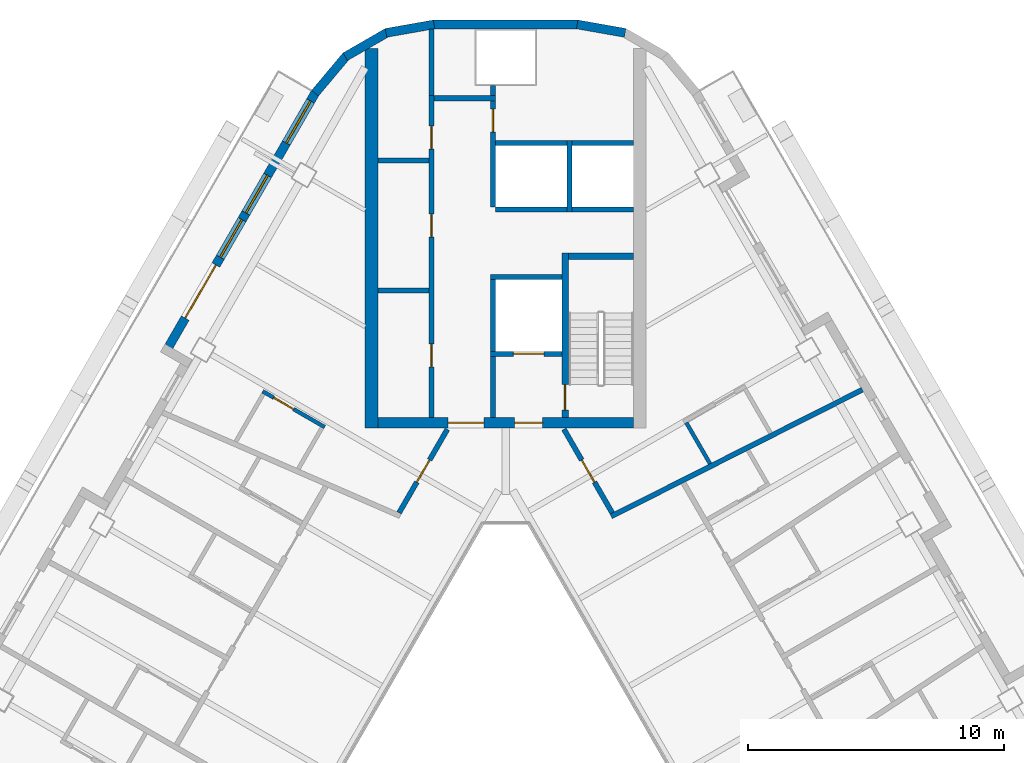
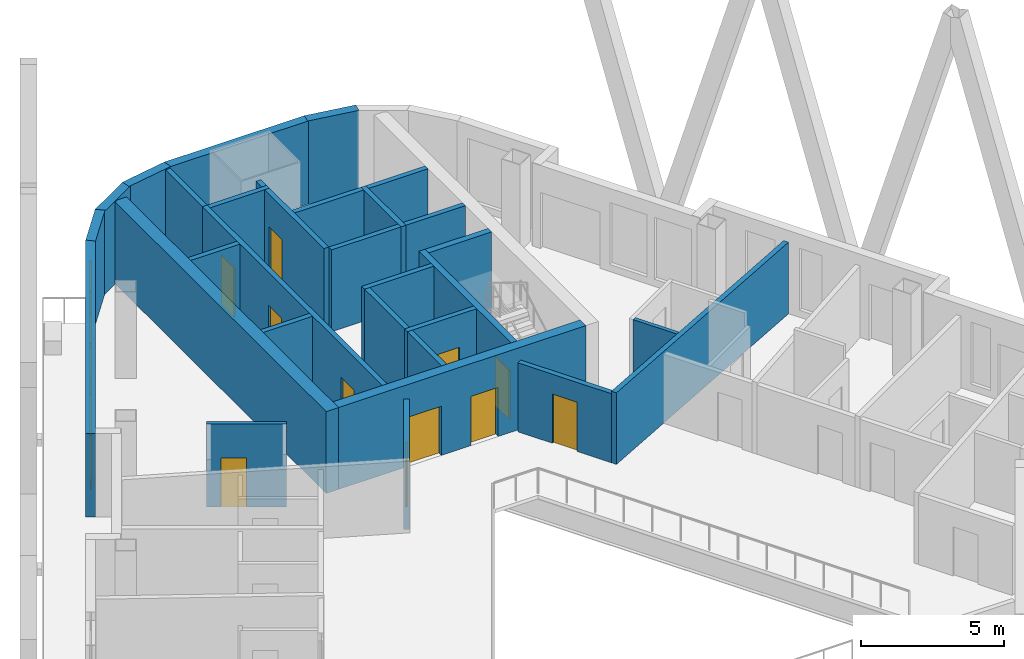
# One storey, part 7 of 14: 31 walls, 12 doors, 3 windows, 15 openings.
"""IFC4 building model written with IfcOpenShell, lengths in metres."""

from ifc_helpers import new_model, si_unit, direction, frame, frame_2d, origin, place, context, subcontext, project, spatial, rectangle, extrude, material, layer, layer_set, type_object, element, fill, save


model = new_model("IFC4")

# Units and contexts
model_context = context("Model", 3, precision=1e-05, world=origin(), true_north=direction((0.0, 1.0)))
body_context = subcontext(model_context, "Body", "Model", "MODEL_VIEW")
ifc_project = project(units=[si_unit("LENGTHUNIT", "METRE"), si_unit("AREAUNIT", "SQUARE_METRE"), si_unit("VOLUMEUNIT", "CUBIC_METRE"), si_unit("PLANEANGLEUNIT", "RADIAN"), si_unit("MASSUNIT", "GRAM", prefix="KILO")], contexts=[model_context])

# Site, building, storey
site_placement = place(None, origin())
site = spatial("IfcSite", under=ifc_project, at=site_placement, CompositionType="ELEMENT")
building_placement = place(site_placement, origin())
building = spatial("IfcBuilding", under=site, at=building_placement, Name="Apuvela Tower Hotel", CompositionType="ELEMENT")
storey_placement = place(building_placement, frame((0.0, 0.0, 224.300048828125)))
storey = spatial("IfcBuildingStorey", under=building, at=storey_placement, Name="L55", CompositionType="ELEMENT", Elevation=224.300048828125)

# Wall, openings, doors
ifc_material_1 = material(Name="Concrete C50/60", Category="concrete")
ifc_layer_1 = layer(ifc_material_1, 0.39990234375)
ifc_layer_set_1 = layer_set([ifc_layer_1], Name="COR-WALL-CORE-400")
wall_type_1 = type_object("IfcWallType", Name="COR-WALL-CORE-400", PredefinedType="SHEAR", material=ifc_layer_set_1)
wall_1_placement = place(storey_placement, frame((5.0, 13.10009765625, 0.0), z_axis=(0.0, 0.0, 1.0), x_axis=(-1.0, 0.0, 0.0)))
wall_1 = element("IfcWall", 1, at=wall_1_placement, inside=storey, type_object=wall_type_1, Name="Core wall N", PredefinedType="SHEAR", context=body_context, shape_type="SweptSolid", body=[
    extrude(rectangle(XDim=10.0, YDim=0.39990234375, at=frame_2d((5.0, 0.0))), origin(), (0.0, 0.0, 1.0), 3.5),
])
opening_1_placement = place(wall_1_placement, frame((3.550048828125, 0.0, 0.0)))
opening_1 = element("IfcOpeningElement", 2, at=opening_1_placement, cuts=wall_1, Name="Opening N-FD", PredefinedType="OPENING", context=body_context, shape_type="SweptSolid", body=[
    extrude(rectangle(XDim=1.10009765625, YDim=2.10009765625, at=frame_2d((0.550048828125, 1.050048828125))), frame((0.0, 0.2099609375, 0.0), z_axis=(0.0, -1.0, 0.0), x_axis=(1.0, 0.0, 0.0)), (0.0, 0.0, 1.0), 0.419921875),
])
opening_2_placement = place(wall_1_placement, frame((5.85009765625, 0.0, 0.0)))
opening_2 = element("IfcOpeningElement", 3, at=opening_2_placement, cuts=wall_1, Name="Opening N-GD", PredefinedType="OPENING", context=body_context, shape_type="SweptSolid", body=[
    extrude(rectangle(XDim=1.39990234375, YDim=2.10009765625, at=frame_2d((0.699951171875, 1.050048828125))), frame((0.0, 0.2099609375, 0.0), z_axis=(0.0, -1.0, 0.0), x_axis=(1.0, 0.0, 0.0)), (0.0, 0.0, 1.0), 0.419921875),
])
ifc_material_2 = material(Name="Steel fire door, powder coated", Category="steel")
door_type_1 = type_object("IfcDoorType", Name="COR-FD-1100", OperationType="NOTDEFINED", PredefinedType="DOOR", material=ifc_material_2)
door_1_placement = place(opening_1_placement, frame((1.10009765625, 0.0, 0.0), z_axis=(0.0, 0.0, 1.0), x_axis=(-1.0, 0.0, 0.0)))
door_1 = element("IfcDoor", 4, at=door_1_placement, inside=storey, type_object=door_type_1, Name="Firefighting lobby door N-FD", OperationType="SINGLE_SWING_LEFT", OverallHeight=2.10009765625, OverallWidth=1.10009765625, PredefinedType="DOOR", context=body_context, shape_type="SweptSolid", body=[
    extrude(rectangle(XDim=1.10009765625, YDim=2.10009765625, at=frame_2d((0.550048828125, 1.050048828125))), frame((0.0, 0.02490234375, 0.0), z_axis=(0.0, -1.0, 0.0), x_axis=(1.0, 0.0, 0.0)), (0.0, 0.0, 1.0), 0.050048828125),
])
fill(opening_1, door_1)
ifc_material_3 = material(Name="Glazed steel fire door", Category="steel")
door_type_2 = type_object("IfcDoorType", Name="COR-GD-1400", OperationType="DOUBLE_DOOR_SINGLE_SWING", PredefinedType="DOOR", material=ifc_material_3)
door_2_placement = place(opening_2_placement, frame((1.39990234375, 0.0, 0.0), z_axis=(0.0, 0.0, 1.0), x_axis=(-1.0, 0.0, 0.0)))
door_2 = element("IfcDoor", 5, at=door_2_placement, inside=storey, type_object=door_type_2, Name="Lift lobby door N-GD", OperationType="DOUBLE_DOOR_SINGLE_SWING", OverallHeight=2.10009765625, OverallWidth=1.39990234375, PredefinedType="DOOR", context=body_context, shape_type="SweptSolid", body=[
    extrude(rectangle(XDim=1.39990234375, YDim=2.10009765625, at=frame_2d((0.699951171875, 1.050048828125))), frame((0.0, 0.02490234375, 0.0), z_axis=(0.0, -1.0, 0.0), x_axis=(1.0, 0.0, 0.0)), (0.0, 0.0, 1.0), 0.050048828125),
])
fill(opening_2, door_2)

# Walls
ifc_layer_2 = layer(ifc_material_1, 0.5)
ifc_layer_set_2 = layer_set([ifc_layer_2], Name="COR-WALL-CORE-500")
wall_type_2 = type_object("IfcWallType", Name="COR-WALL-CORE-500", PredefinedType="SHEAR", material=ifc_layer_set_2)
wall_2_placement = place(storey_placement, frame((-5.25, 12.89990234375, 0.0), z_axis=(0.0, 0.0, 1.0), x_axis=(0.0, 1.0, 0.0)))
element("IfcWall", 6, at=wall_2_placement, inside=storey, type_object=wall_type_2, Name="Core wall N", PredefinedType="SHEAR", context=body_context, shape_type="SweptSolid", body=[
    extrude(rectangle(XDim=14.8369140625, YDim=0.5, at=frame_2d((7.41845703125, 0.0))), origin(), (0.0, 0.0, 1.0), 3.5),
])
ifc_material_4 = material(Name="Blockwork 200 mm plastered", Category="masonry")
ifc_layer_3 = layer(ifc_material_4, 0.199951171875)
ifc_layer_set_3 = layer_set([ifc_layer_3], Name="COR-WALL-PART-200")
wall_type_3 = type_object("IfcWallType", Name="COR-WALL-PART-200", PredefinedType="PARTITIONING", material=ifc_layer_set_3)
wall_3_placement = place(storey_placement, frame((5.0, 21.449951171875, 0.0), z_axis=(0.0, 0.0, 1.0), x_axis=(-1.0, 0.0, 0.0)))
element("IfcWall", 7, at=wall_3_placement, inside=storey, type_object=wall_type_3, Name="Partition N", PredefinedType="PARTITIONING", context=body_context, shape_type="SweptSolid", body=[
    extrude(rectangle(XDim=2.39990234375, YDim=0.199951171875, at=frame_2d((1.199951171875, 0.0))), origin(), (0.0, 0.0, 1.0), 3.5),
])
wall_4_placement = place(storey_placement, frame((2.39990234375, 21.449951171875, 0.0), z_axis=(0.0, 0.0, 1.0), x_axis=(-1.0, 0.0, 0.0)))
element("IfcWall", 8, at=wall_4_placement, inside=storey, type_object=wall_type_3, Name="Partition N", PredefinedType="PARTITIONING", context=body_context, shape_type="SweptSolid", body=[
    extrude(rectangle(XDim=2.7998046875, YDim=0.199951171875, at=frame_2d((1.39990234375, 0.0))), origin(), (0.0, 0.0, 1.0), 3.5),
])
ifc_layer_4 = layer(ifc_material_1, 0.199951171875)
ifc_layer_set_4 = layer_set([ifc_layer_4], Name="COR-WALL-SHAFT-200")
wall_type_4 = type_object("IfcWallType", Name="COR-WALL-SHAFT-200", PredefinedType="SHEAR", material=ifc_layer_set_4)
wall_5_placement = place(storey_placement, frame((2.199951171875, 18.800048828125, 0.0), z_axis=(0.0, 0.0, 1.0), x_axis=(-1.0, 0.0, 0.0)))
element("IfcWall", 9, at=wall_5_placement, inside=storey, type_object=wall_type_4, Name="Shaft wall N", PredefinedType="SHEAR", context=body_context, shape_type="SweptSolid", body=[
    extrude(rectangle(XDim=2.800048828125, YDim=0.199951171875, at=frame_2d((1.39990234375, 0.0))), origin(), (0.0, 0.0, 1.0), 3.5),
])

# Wall, opening, door
wall_6_placement = place(storey_placement, frame((2.199951171875, 15.800048828125, 0.0), z_axis=(0.0, 0.0, 1.0), x_axis=(-1.0, 0.0, 0.0)))
wall_6 = element("IfcWall", 10, at=wall_6_placement, inside=storey, type_object=wall_type_4, Name="Shaft wall N", PredefinedType="SHEAR", context=body_context, shape_type="SweptSolid", body=[
    extrude(rectangle(XDim=2.800048828125, YDim=0.199951171875, at=frame_2d((1.39990234375, 0.0))), origin(), (0.0, 0.0, 1.0), 3.5),
])
opening_3_placement = place(wall_6_placement, frame((0.699951171875, 0.0, 0.0)))
opening_3 = element("IfcOpeningElement", 11, at=opening_3_placement, cuts=wall_6, Name="Opening N-LD-FS1", PredefinedType="OPENING", context=body_context, shape_type="SweptSolid", body=[
    extrude(rectangle(XDim=1.199951171875, YDim=2.10009765625, at=frame_2d((0.60009765625, 1.050048828125))), frame((0.0, 0.10986328125, 0.0), z_axis=(0.0, -1.0, 0.0), x_axis=(1.0, 0.0, 0.0)), (0.0, 0.0, 1.0), 0.219970703125),
])
ifc_material_5 = material(Name="Stainless steel lift landing door", Category="steel")
door_type_3 = type_object("IfcDoorType", Name="COR-LD-1200", OperationType="DOUBLE_DOOR_SLIDING", PredefinedType="DOOR", material=ifc_material_5)
door_3_placement = place(opening_3_placement, origin())
door_3 = element("IfcDoor", 12, at=door_3_placement, inside=storey, type_object=door_type_3, Name="Lift landing door N-LD-FS1", OperationType="DOUBLE_DOOR_SLIDING", OverallHeight=2.10009765625, OverallWidth=1.199951171875, PredefinedType="DOOR", context=body_context, shape_type="SweptSolid", body=[
    extrude(rectangle(XDim=1.199951171875, YDim=2.10009765625, at=frame_2d((0.60009765625, 1.050048828125))), frame((0.0, 0.02490234375, 0.0), z_axis=(0.0, -1.0, 0.0), x_axis=(1.0, 0.0, 0.0)), (0.0, 0.0, 1.0), 0.050048828125),
])
fill(opening_3, door_3)

# Walls
wall_7_placement = place(storey_placement, frame((-0.5, 15.89990234375, 0.0), z_axis=(0.0, 0.0, 1.0), x_axis=(0.0, 1.0, 0.0)))
element("IfcWall", 13, at=wall_7_placement, inside=storey, type_object=wall_type_4, Name="Shaft wall N", PredefinedType="SHEAR", context=body_context, shape_type="SweptSolid", body=[
    extrude(rectangle(XDim=2.800048828125, YDim=0.199951171875, at=frame_2d((1.39990234375, 0.0))), origin(), (0.0, 0.0, 1.0), 3.5),
])
wall_8_placement = place(storey_placement, frame((-0.5, 13.300048828125, 0.0), z_axis=(0.0, 0.0, 1.0), x_axis=(0.0, 1.0, 0.0)))
element("IfcWall", 14, at=wall_8_placement, inside=storey, type_object=wall_type_4, Name="Shaft wall N", PredefinedType="SHEAR", context=body_context, shape_type="SweptSolid", body=[
    extrude(rectangle(XDim=2.39990234375, YDim=0.199951171875, at=frame_2d((1.199951171875, 0.0))), origin(), (0.0, 0.0, 1.0), 3.5),
])

# Wall, openings, doors
wall_9_placement = place(storey_placement, frame((-2.89990234375, 13.300048828125, 0.0), z_axis=(0.0, 0.0, 1.0), x_axis=(0.0, 1.0, 0.0)))
wall_9 = element("IfcWall", 15, at=wall_9_placement, inside=storey, type_object=wall_type_4, Name="Shaft wall N", PredefinedType="SHEAR", context=body_context, shape_type="SweptSolid", body=[
    extrude(rectangle(XDim=12.599853515625, YDim=0.199951171875, at=frame_2d((6.2998046875, 0.0))), origin(), (0.0, 0.0, 1.0), 3.5),
])
opening_4_placement = place(wall_9_placement, frame((1.989990234375, 0.0, 0.0)))
opening_4 = element("IfcOpeningElement", 16, at=opening_4_placement, cuts=wall_9, Name="Opening N-RE1", PredefinedType="OPENING", context=body_context, shape_type="SweptSolid", body=[
    extrude(rectangle(XDim=0.89990234375, YDim=2.10009765625, at=frame_2d((0.449951171875, 1.050048828125))), frame((0.0, 0.10986328125, 0.0), z_axis=(0.0, -1.0, 0.0), x_axis=(1.0, 0.0, 0.0)), (0.0, 0.0, 1.0), 0.219970703125),
])
opening_5_placement = place(wall_9_placement, frame((7.070068359375, 0.0, 0.0)))
opening_5 = element("IfcOpeningElement", 17, at=opening_5_placement, cuts=wall_9, Name="Opening N-RE3", PredefinedType="OPENING", context=body_context, shape_type="SweptSolid", body=[
    extrude(rectangle(XDim=0.89990234375, YDim=2.10009765625, at=frame_2d((0.449951171875, 1.050048828125))), frame((0.0, 0.10986328125, 0.0), z_axis=(0.0, -1.0, 0.0), x_axis=(1.0, 0.0, 0.0)), (0.0, 0.0, 1.0), 0.219970703125),
])
opening_6_placement = place(wall_9_placement, frame((10.510009765625, 0.0, 0.0)))
opening_6 = element("IfcOpeningElement", 18, at=opening_6_placement, cuts=wall_9, Name="Opening N-REP", PredefinedType="OPENING", context=body_context, shape_type="SweptSolid", body=[
    extrude(rectangle(XDim=0.89990234375, YDim=2.10009765625, at=frame_2d((0.449951171875, 1.050048828125))), frame((0.0, 0.10986328125, 0.0), z_axis=(0.0, -1.0, 0.0), x_axis=(1.0, 0.0, 0.0)), (0.0, 0.0, 1.0), 0.219970703125),
])
door_type_4 = type_object("IfcDoorType", Name="COR-DR-900", OperationType="NOTDEFINED", PredefinedType="DOOR", material=ifc_material_2)
door_4_placement = place(opening_4_placement, origin())
door_4 = element("IfcDoor", 19, at=door_4_placement, inside=storey, type_object=door_type_4, Name="Store door N-RE1", OperationType="SINGLE_SWING_LEFT", OverallHeight=2.10009765625, OverallWidth=0.89990234375, PredefinedType="DOOR", context=body_context, shape_type="SweptSolid", body=[
    extrude(rectangle(XDim=0.89990234375, YDim=2.10009765625, at=frame_2d((0.449951171875, 1.050048828125))), frame((0.0, 0.02490234375, 0.0), z_axis=(0.0, -1.0, 0.0), x_axis=(1.0, 0.0, 0.0)), (0.0, 0.0, 1.0), 0.050048828125),
])
fill(opening_4, door_4)
door_5_placement = place(opening_5_placement, origin())
door_5 = element("IfcDoor", 20, at=door_5_placement, inside=storey, type_object=door_type_4, Name="Store door N-RE3", OperationType="SINGLE_SWING_LEFT", OverallHeight=2.10009765625, OverallWidth=0.89990234375, PredefinedType="DOOR", context=body_context, shape_type="SweptSolid", body=[
    extrude(rectangle(XDim=0.89990234375, YDim=2.10009765625, at=frame_2d((0.449951171875, 1.050048828125))), frame((0.0, 0.02490234375, 0.0), z_axis=(0.0, -1.0, 0.0), x_axis=(1.0, 0.0, 0.0)), (0.0, 0.0, 1.0), 0.050048828125),
])
fill(opening_5, door_5)
door_6_placement = place(opening_6_placement, origin())
door_6 = element("IfcDoor", 21, at=door_6_placement, inside=storey, type_object=door_type_4, Name="Store door N-REP", OperationType="SINGLE_SWING_RIGHT", OverallHeight=2.10009765625, OverallWidth=0.89990234375, PredefinedType="DOOR", context=body_context, shape_type="SweptSolid", body=[
    extrude(rectangle(XDim=0.89990234375, YDim=2.10009765625, at=frame_2d((0.449951171875, 1.050048828125))), frame((0.0, 0.02490234375, 0.0), z_axis=(0.0, -1.0, 0.0), x_axis=(1.0, 0.0, 0.0)), (0.0, 0.0, 1.0), 0.050048828125),
])
fill(opening_6, door_6)

# Wall
wall_10_placement = place(storey_placement, frame((-0.39990234375, 25.800048828125, 0.0), z_axis=(0.0, 0.0, 1.0), x_axis=(-1.0, 0.0, 0.0)))
element("IfcWall", 22, at=wall_10_placement, inside=storey, type_object=wall_type_4, Name="Shaft wall N", PredefinedType="SHEAR", context=body_context, shape_type="SweptSolid", body=[
    extrude(rectangle(XDim=2.400146484375, YDim=0.199951171875, at=frame_2d((1.2001953125, 0.0))), origin(), (0.0, 0.0, 1.0), 3.5),
])

# Wall, opening, door
wall_11_placement = place(storey_placement, frame((-0.5, 21.550048828125, 0.0), z_axis=(0.0, 0.0, 1.0), x_axis=(0.0, 1.0, 0.0)))
wall_11 = element("IfcWall", 23, at=wall_11_placement, inside=storey, type_object=wall_type_4, Name="Shaft wall N", PredefinedType="SHEAR", context=body_context, shape_type="SweptSolid", body=[
    extrude(rectangle(XDim=4.14990234375, YDim=0.199951171875, at=frame_2d((2.074951171875, 0.0))), origin(), (0.0, 0.0, 1.0), 3.5),
])
opening_7_placement = place(wall_11_placement, frame((2.925048828125, 0.0, 0.0)))
opening_7 = element("IfcOpeningElement", 24, at=opening_7_placement, cuts=wall_11, Name="Opening N-RSP", PredefinedType="OPENING", context=body_context, shape_type="SweptSolid", body=[
    extrude(rectangle(XDim=0.89990234375, YDim=2.10009765625, at=frame_2d((0.449951171875, 1.050048828125))), frame((0.0, 0.10986328125, 0.0), z_axis=(0.0, -1.0, 0.0), x_axis=(1.0, 0.0, 0.0)), (0.0, 0.0, 1.0), 0.219970703125),
])
door_7_placement = place(opening_7_placement, frame((0.89990234375, 0.0, 0.0), z_axis=(0.0, 0.0, 1.0), x_axis=(-1.0, 0.0, 0.0)))
door_7 = element("IfcDoor", 25, at=door_7_placement, inside=storey, type_object=door_type_4, Name="Store door N-RSP", OperationType="SINGLE_SWING_LEFT", OverallHeight=2.10009765625, OverallWidth=0.89990234375, PredefinedType="DOOR", context=body_context, shape_type="SweptSolid", body=[
    extrude(rectangle(XDim=0.89990234375, YDim=2.10009765625, at=frame_2d((0.449951171875, 1.050048828125))), frame((0.0, 0.02490234375, 0.0), z_axis=(0.0, -1.0, 0.0), x_axis=(1.0, 0.0, 0.0)), (0.0, 0.0, 1.0), 0.050048828125),
])
fill(opening_7, door_7)

# Walls
for number, where, z_axis, x_axis, name in (
    (26, (-3.0, 18.280029296875, 0.0), (0.0, 0.0, 1.0), (-1.0, 0.0, 0.0), "Shaft wall N"),
    (27, (-3.0, 23.360107421875, 0.0), (0.0, 0.0, 1.0), (-1.0, 0.0, 0.0), "Shaft wall N"),
):
    element("IfcWall", number, at=place(storey_placement, frame(where, z_axis=z_axis, x_axis=x_axis)), inside=storey, type_object=wall_type_4, Name=name, PredefinedType="SHEAR", context=body_context, shape_type="SweptSolid", body=[
        extrude(rectangle(XDim=2.0, YDim=0.199951171875, at=frame_2d((1.0, 0.0))), origin(), (0.0, 0.0, 1.0), 3.5),
    ])
wall_12_placement = place(storey_placement, frame((-0.5, 25.89990234375, 0.0), z_axis=(0.0, 0.0, 1.0), x_axis=(0.0, 1.0, 0.0)))
element("IfcWall", 28, at=wall_12_placement, inside=storey, type_object=wall_type_4, Name="Shaft wall N", PredefinedType="SHEAR", context=body_context, shape_type="SweptSolid", body=[
    extrude(rectangle(XDim=0.400146484375, YDim=0.199951171875, at=frame_2d((0.2001953125, 0.0))), origin(), (0.0, 0.0, 1.0), 3.5),
])
wall_13_placement = place(storey_placement, frame((-2.89990234375, 25.89990234375, 0.0), z_axis=(0.0, 0.0, 1.0), x_axis=(0.0, 1.0, 0.0)))
element("IfcWall", 29, at=wall_13_placement, inside=storey, type_object=wall_type_4, Name="Shaft wall N", PredefinedType="SHEAR", context=body_context, shape_type="SweptSolid", body=[
    extrude(rectangle(XDim=2.60009765625, YDim=0.199951171875, at=frame_2d((1.300048828125, 0.0))), origin(), (0.0, 0.0, 1.0), 3.5),
])
wall_14_placement = place(storey_placement, frame((2.5, 21.35009765625, 0.0), z_axis=(0.0, 0.0, 1.0), x_axis=(0.0, 1.0, 0.0)))
element("IfcWall", 30, at=wall_14_placement, inside=storey, type_object=wall_type_4, Name="Shaft wall N", PredefinedType="SHEAR", context=body_context, shape_type="SweptSolid", body=[
    extrude(rectangle(XDim=2.7998046875, YDim=0.199951171875, at=frame_2d((1.39990234375, 0.0))), origin(), (0.0, 0.0, 1.0), 3.5),
])
wall_15_placement = place(storey_placement, frame((5.0, 24.050048828125, 0.0), z_axis=(0.0, 0.0, 1.0), x_axis=(-1.0, 0.0, 0.0)))
element("IfcWall", 31, at=wall_15_placement, inside=storey, type_object=wall_type_4, Name="Shaft wall N", PredefinedType="SHEAR", context=body_context, shape_type="SweptSolid", body=[
    extrude(rectangle(XDim=2.39990234375, YDim=0.199951171875, at=frame_2d((1.199951171875, 0.0))), origin(), (0.0, 0.0, 1.0), 3.5),
])
wall_16_placement = place(storey_placement, frame((2.39990234375, 24.050048828125, 0.0), z_axis=(0.0, 0.0, 1.0), x_axis=(-1.0, 0.0, 0.0)))
element("IfcWall", 32, at=wall_16_placement, inside=storey, type_object=wall_type_4, Name="Shaft wall N", PredefinedType="SHEAR", context=body_context, shape_type="SweptSolid", body=[
    extrude(rectangle(XDim=2.7998046875, YDim=0.199951171875, at=frame_2d((1.39990234375, 0.0))), origin(), (0.0, 0.0, 1.0), 3.5),
])

# Wall, opening, door
ifc_layer_5 = layer(ifc_material_1, 0.25)
ifc_layer_set_5 = layer_set([ifc_layer_5], Name="COR-WALL-STAIR-250")
wall_type_5 = type_object("IfcWallType", Name="COR-WALL-STAIR-250", PredefinedType="SHEAR", material=ifc_layer_set_5)
wall_17_placement = place(storey_placement, frame((2.324951171875, 13.300048828125, 0.0), z_axis=(0.0, 0.0, 1.0), x_axis=(0.0, 1.0, 0.0)))
wall_17 = element("IfcWall", 33, at=wall_17_placement, inside=storey, type_object=wall_type_5, Name="Stair wall N", PredefinedType="SHEAR", context=body_context, shape_type="SweptSolid", body=[
    extrude(rectangle(XDim=6.449951171875, YDim=0.25, at=frame_2d((3.22509765625, 0.0))), origin(), (0.0, 0.0, 1.0), 3.5),
])
opening_8_placement = place(wall_17_placement, frame((0.300048828125, 0.0, 0.0)))
opening_8 = element("IfcOpeningElement", 34, at=opening_8_placement, cuts=wall_17, Name="Opening N-SD", PredefinedType="OPENING", context=body_context, shape_type="SweptSolid", body=[
    extrude(rectangle(XDim=1.0, YDim=2.10009765625, at=frame_2d((0.5, 1.050048828125))), frame((0.0, 0.135009765625, 0.0), z_axis=(0.0, -1.0, 0.0), x_axis=(1.0, 0.0, 0.0)), (0.0, 0.0, 1.0), 0.27001953125),
])
door_type_5 = type_object("IfcDoorType", Name="COR-SD-1000", OperationType="NOTDEFINED", PredefinedType="DOOR", material=ifc_material_2)
door_8_placement = place(opening_8_placement, frame((1.0, 0.0, 0.0), z_axis=(0.0, 0.0, 1.0), x_axis=(-1.0, 0.0, 0.0)))
door_8 = element("IfcDoor", 35, at=door_8_placement, inside=storey, type_object=door_type_5, Name="Stair door N-SD", OperationType="SINGLE_SWING_LEFT", OverallHeight=2.10009765625, OverallWidth=1.0, PredefinedType="DOOR", context=body_context, shape_type="SweptSolid", body=[
    extrude(rectangle(XDim=1.0, YDim=2.10009765625, at=frame_2d((0.5, 1.050048828125))), frame((0.0, 0.02490234375, 0.0), z_axis=(0.0, -1.0, 0.0), x_axis=(1.0, 0.0, 0.0)), (0.0, 0.0, 1.0), 0.050048828125),
])
fill(opening_8, door_8)

# Wall
wall_18_placement = place(storey_placement, frame((5.0, 19.625, 0.0), z_axis=(0.0, 0.0, 1.0), x_axis=(-1.0, 0.0, 0.0)))
element("IfcWall", 36, at=wall_18_placement, inside=storey, type_object=wall_type_5, Name="Stair wall N", PredefinedType="SHEAR", context=body_context, shape_type="SweptSolid", body=[
    extrude(rectangle(XDim=2.550048828125, YDim=0.25, at=frame_2d((1.27490234375, 0.0))), origin(), (0.0, 0.0, 1.0), 3.5),
])

# Wall, openings, door, windows
ifc_material_6 = material(Name="Concrete C40/50, dark pigmented precast panel", Category="concrete")
ifc_layer_6 = layer(ifc_material_6, 0.35009765625)
ifc_layer_set_6 = layer_set([ifc_layer_6], Name="ENV-WALL-350")
wall_type_6 = type_object("IfcWallType", Name="ENV-WALL-350", PredefinedType="SOLIDWALL", material=ifc_layer_set_6)
wall_19_placement = place(storey_placement, frame((-7.440673828125, 26.0224609375, 0.0), z_axis=(0.0, 0.0, 1.0), x_axis=(-0.499992533062, -0.86602971478, 0.0)))
wall_19 = element("IfcWall", 37, at=wall_19_placement, inside=storey, type_object=wall_type_6, Name="External wall L55-01", PredefinedType="SOLIDWALL", context=body_context, shape_type="SweptSolid", body=[
    extrude(rectangle(XDim=11.815673828125, YDim=0.35009765625, at=frame_2d((5.90771484375, 0.0))), origin(), (0.0, 0.0, 1.0), 3.550048828125),
])
opening_9_placement = place(wall_19_placement, frame((0.381103515625, 0.0, 0.300048828125)))
opening_9 = element("IfcOpeningElement", 38, at=opening_9_placement, cuts=wall_19, Name="Opening WN19", PredefinedType="OPENING", context=body_context, shape_type="SweptSolid", body=[
    extrude(rectangle(XDim=1.89990234375, YDim=2.64990234375, at=frame_2d((0.949951171875, 1.324951171875))), frame((0.0, 0.18505859375, 0.0), z_axis=(0.0, -1.0, 0.0), x_axis=(1.0, 0.0, 0.0)), (0.0, 0.0, 1.0), 0.3701171875),
])
opening_10_placement = place(wall_19_placement, frame((7.79052734375, 0.0, 0.0)))
opening_10 = element("IfcOpeningElement", 39, at=opening_10_placement, cuts=wall_19, Name="Opening BD24", PredefinedType="OPENING", context=body_context, shape_type="SweptSolid", body=[
    extrude(rectangle(XDim=2.39990234375, YDim=2.39990234375, at=frame_2d((1.199951171875, 1.199951171875))), frame((0.0, 0.18505859375, 0.0), z_axis=(0.0, -1.0, 0.0), x_axis=(1.0, 0.0, 0.0)), (0.0, 0.0, 1.0), 0.3701171875),
])
opening_11_placement = place(wall_19_placement, frame((3.7412109375, 0.0, 0.300048828125)))
opening_11 = element("IfcOpeningElement", 40, at=opening_11_placement, cuts=wall_19, Name="Opening WN17", PredefinedType="OPENING", context=body_context, shape_type="SweptSolid", body=[
    extrude(rectangle(XDim=1.699951171875, YDim=2.64990234375, at=frame_2d((0.85009765625, 1.324951171875))), frame((0.0, 0.18505859375, 0.0), z_axis=(0.0, -1.0, 0.0), x_axis=(1.0, 0.0, 0.0)), (0.0, 0.0, 1.0), 0.3701171875),
])
opening_12_placement = place(wall_19_placement, frame((5.7412109375, 0.0, 0.300048828125)))
opening_12 = element("IfcOpeningElement", 41, at=opening_12_placement, cuts=wall_19, Name="Opening WN17", PredefinedType="OPENING", context=body_context, shape_type="SweptSolid", body=[
    extrude(rectangle(XDim=1.699951171875, YDim=2.64990234375, at=frame_2d((0.85009765625, 1.324951171875))), frame((0.0, 0.18505859375, 0.0), z_axis=(0.0, -1.0, 0.0), x_axis=(1.0, 0.0, 0.0)), (0.0, 0.0, 1.0), 0.3701171875),
])
ifc_material_7 = material(Name="Aluminium 6063-T6, dark bronze anodised frame with dark tinted laminated glass", Category="aluminium")
door_type_6 = type_object("IfcDoorType", Name="ENV-DOOR-BALCONY-2400x2400", OperationType="SLIDING_TO_LEFT", PredefinedType="DOOR", material=ifc_material_7)
door_9_placement = place(opening_10_placement, frame((2.39990234375, 0.0, 0.0), z_axis=(0.0, 0.0, 1.0), x_axis=(-1.0, 0.0, 0.0)))
door_9 = element("IfcDoor", 42, at=door_9_placement, inside=storey, type_object=door_type_6, Name="Balcony door BD24", OperationType="SLIDING_TO_LEFT", OverallHeight=2.39990234375, OverallWidth=2.39990234375, PredefinedType="DOOR", context=body_context, shape_type="SweptSolid", body=[
    extrude(rectangle(XDim=2.39990234375, YDim=2.39990234375, at=frame_2d((1.199951171875, 1.199951171875))), frame((0.0, 0.02490234375, 0.0), z_axis=(0.0, -1.0, 0.0), x_axis=(1.0, 0.0, 0.0)), (0.0, 0.0, 1.0), 0.050048828125),
])
fill(opening_10, door_9)
ifc_material_8 = material(Name="Glass, dark tinted laminated insulated glazing unit", Category="glass")
window_type_1 = type_object("IfcWindowType", Name="ENV-WIN-1700x2650", PartitioningType="SINGLE_PANEL", PredefinedType="WINDOW", material=ifc_material_8)
window_1_placement = place(opening_11_placement, origin())
window_1 = element("IfcWindow", 43, at=window_1_placement, inside=storey, type_object=window_type_1, Name="Window WN17", OverallHeight=2.64990234375, OverallWidth=1.699951171875, PartitioningType="SINGLE_PANEL", PredefinedType="WINDOW", context=body_context, shape_type="SweptSolid", body=[
    extrude(rectangle(XDim=1.699951171875, YDim=2.64990234375, at=frame_2d((0.85009765625, 1.324951171875))), frame((0.0, 0.030029296875, 0.0), z_axis=(0.0, -1.0, 0.0), x_axis=(1.0, 0.0, 0.0)), (0.0, 0.0, 1.0), 0.06005859375),
])
fill(opening_11, window_1)
window_2_placement = place(opening_12_placement, origin())
window_2 = element("IfcWindow", 44, at=window_2_placement, inside=storey, type_object=window_type_1, Name="Window WN17", OverallHeight=2.64990234375, OverallWidth=1.699951171875, PartitioningType="SINGLE_PANEL", PredefinedType="WINDOW", context=body_context, shape_type="SweptSolid", body=[
    extrude(rectangle(XDim=1.699951171875, YDim=2.64990234375, at=frame_2d((0.85009765625, 1.324951171875))), frame((0.0, 0.030029296875, 0.0), z_axis=(0.0, -1.0, 0.0), x_axis=(1.0, 0.0, 0.0)), (0.0, 0.0, 1.0), 0.06005859375),
])
fill(opening_12, window_2)
window_type_2 = type_object("IfcWindowType", Name="ENV-WIN-1900x2650", PartitioningType="SINGLE_PANEL", PredefinedType="WINDOW", material=ifc_material_8)
window_3_placement = place(opening_9_placement, origin())
window_3 = element("IfcWindow", 45, at=window_3_placement, inside=storey, type_object=window_type_2, Name="Window WN19", OverallHeight=2.64990234375, OverallWidth=1.89990234375, PartitioningType="SINGLE_PANEL", PredefinedType="WINDOW", context=body_context, shape_type="SweptSolid", body=[
    extrude(rectangle(XDim=1.89990234375, YDim=2.64990234375, at=frame_2d((0.949951171875, 1.324951171875))), frame((0.0, 0.030029296875, 0.0), z_axis=(0.0, -1.0, 0.0), x_axis=(1.0, 0.0, 0.0)), (0.0, 0.0, 1.0), 0.06005859375),
])
fill(opening_9, window_3)

# Walls
wall_20_placement = place(storey_placement, frame((4.6796875, 28.35595703125, 0.0), z_axis=(0.0, 0.0, 1.0), x_axis=(-0.984798995425, 0.173697837091, 0.0)))
element("IfcWall", 46, at=wall_20_placement, inside=storey, type_object=wall_type_6, Name="External wall L55-44", PredefinedType="SOLIDWALL", context=body_context, shape_type="SweptSolid", body=[
    extrude(rectangle(XDim=1.91015625, YDim=0.35009765625, at=frame_2d((0.955078125, 0.0))), origin(), (0.0, 0.0, 1.0), 3.550048828125),
])
wall_21_placement = place(storey_placement, frame((2.8291015625, 28.68505859375, 0.0), z_axis=(0.0, 0.0, 1.0), x_axis=(-1.0, 0.0, 0.0)))
element("IfcWall", 47, at=wall_21_placement, inside=storey, type_object=wall_type_6, Name="External wall L55-45", PredefinedType="SOLIDWALL", context=body_context, shape_type="SweptSolid", body=[
    extrude(rectangle(XDim=5.658203125, YDim=0.35009765625, at=frame_2d((2.8291015625, 0.0))), origin(), (0.0, 0.0, 1.0), 3.550048828125),
])
for number, where, z_axis, x_axis, name in (
    (48, (-2.798583984375, 28.687744140625, 0.0), (0.0, 0.0, 1.0), (-0.984798995425, -0.173697837091, 0.0), "External wall L55-46"),
    (49, (-4.62255859375, 28.376708984375, 0.0), (0.0, 0.0, 1.0), (-0.866032345022, -0.499987977232, 0.0), "External wall L55-47"),
):
    element("IfcWall", number, at=place(storey_placement, frame(where, z_axis=z_axis, x_axis=x_axis)), inside=storey, type_object=wall_type_6, Name=name, PredefinedType="SOLIDWALL", context=body_context, shape_type="SweptSolid", body=[
        extrude(rectangle(XDim=1.91015625, YDim=0.35009765625, at=frame_2d((0.955078125, 0.0))), origin(), (0.0, 0.0, 1.0), 3.550048828125),
    ])
wall_22_placement = place(storey_placement, frame((-6.230224609375, 27.460693359375, 0.0), z_axis=(0.0, 0.0, 1.0), x_axis=(-0.642808304945, -0.766027077259, 0.0)))
element("IfcWall", 50, at=wall_22_placement, inside=storey, type_object=wall_type_6, Name="External wall L55-48", PredefinedType="SOLIDWALL", context=body_context, shape_type="SweptSolid", body=[
    extrude(rectangle(XDim=1.909912109375, YDim=0.35009765625, at=frame_2d((0.955078125, 0.0))), origin(), (0.0, 0.0, 1.0), 3.550048828125),
])
ifc_material_9 = material(Name="Gypsum board partition on twin steel stud", Category="steel")
ifc_layer_7 = layer(ifc_material_9, 0.199951171875)
ifc_layer_set_7 = layer_set([ifc_layer_7], Name="GST-PW1")
wall_type_7 = type_object("IfcWallType", Name="GST-PW1", PredefinedType="PARTITIONING", material=ifc_layer_set_7)
wall_23_placement = place(storey_placement, frame((13.951904296875, 14.39453125, 0.0), z_axis=(0.0, 0.0, 1.0), x_axis=(-0.892890171934, -0.450274517226, 0.0)))
element("IfcWall", 51, at=wall_23_placement, inside=storey, type_object=wall_type_7, Name="L55 partition 08", PredefinedType="PARTITIONING", context=body_context, shape_type="SweptSolid", body=[
    extrude(rectangle(XDim=10.99755859375, YDim=0.199951171875, at=frame_2d((5.498779296875, 0.0))), origin(), (0.0, 0.0, 1.0), 3.06005859375),
])

# Wall, opening, door
ifc_material_10 = material(Name="Gypsum board corridor wall on twin steel stud, acoustic", Category="steel")
ifc_layer_8 = layer(ifc_material_10, 0.199951171875)
ifc_layer_set_8 = layer_set([ifc_layer_8], Name="GST-PW2")
wall_type_8 = type_object("IfcWallType", Name="GST-PW2", PredefinedType="PARTITIONING", material=ifc_layer_set_8)
wall_24_placement = place(storey_placement, frame((2.280517578125, 12.85009765625, 0.0), z_axis=(0.0, 0.0, 1.0), x_axis=(0.499985062256, -0.866034027923, 0.0)))
wall_24 = element("IfcWall", 52, at=wall_24_placement, inside=storey, type_object=wall_type_8, Name="L55 partition 43", PredefinedType="PARTITIONING", context=body_context, shape_type="SweptSolid", body=[
    extrude(rectangle(XDim=3.7822265625, YDim=0.199951171875, at=frame_2d((1.89111328125, 0.0))), origin(), (0.0, 0.0, 1.0), 2.949951171875),
])
opening_13_placement = place(wall_24_placement, frame((1.39111328125, 0.0, 0.0)))
opening_13 = element("IfcOpeningElement", 53, at=opening_13_placement, cuts=wall_24, Name="Opening GD22-20", PredefinedType="OPENING", context=body_context, shape_type="SweptSolid", body=[
    extrude(rectangle(XDim=1.0, YDim=2.10009765625, at=frame_2d((0.5, 1.050048828125))), frame((0.0, 0.10986328125, 0.0), z_axis=(0.0, -1.0, 0.0), x_axis=(1.0, 0.0, 0.0)), (0.0, 0.0, 1.0), 0.219970703125),
])
ifc_material_11 = material(Name="Timber door leaf in steel frame", Category="steel")
door_type_7 = type_object("IfcDoorType", Name="GST-D1", OperationType="NOTDEFINED", PredefinedType="DOOR", material=ifc_material_11)
door_10_placement = place(opening_13_placement, origin())
door_10 = element("IfcDoor", 54, at=door_10_placement, inside=storey, type_object=door_type_7, Name="Door L55-20", OperationType="SINGLE_SWING_RIGHT", OverallHeight=2.10009765625, OverallWidth=1.0, PredefinedType="DOOR", context=body_context, shape_type="SweptSolid", body=[
    extrude(rectangle(XDim=1.0, YDim=2.10009765625, at=frame_2d((0.5, 1.050048828125))), frame((0.0, 0.02490234375, 0.0), z_axis=(0.0, -1.0, 0.0), x_axis=(1.0, 0.0, 0.0)), (0.0, 0.0, 1.0), 0.050048828125),
])
fill(opening_13, door_10)

wall_25_placement = place(storey_placement, frame((-4.168701171875, 9.57958984375, 0.0), z_axis=(0.0, 0.0, 1.0), x_axis=(0.499991068497, 0.866030560329, 0.0)))
wall_25 = element("IfcWall", 55, at=wall_25_placement, inside=storey, type_object=wall_type_8, Name="L55 partition 47", PredefinedType="PARTITIONING", context=body_context, shape_type="SweptSolid", body=[
    extrude(rectangle(XDim=3.7763671875, YDim=0.199951171875, at=frame_2d((1.88818359375, 0.0))), origin(), (0.0, 0.0, 1.0), 2.949951171875),
])
opening_14_placement = place(wall_25_placement, frame((1.38818359375, 0.0, 0.0)))
opening_14 = element("IfcOpeningElement", 56, at=opening_14_placement, cuts=wall_25, Name="Opening GD22-22", PredefinedType="OPENING", context=body_context, shape_type="SweptSolid", body=[
    extrude(rectangle(XDim=1.0, YDim=2.10009765625, at=frame_2d((0.5, 1.050048828125))), frame((0.0, 0.10986328125, 0.0), z_axis=(0.0, -1.0, 0.0), x_axis=(1.0, 0.0, 0.0)), (0.0, 0.0, 1.0), 0.219970703125),
])
door_11_placement = place(opening_14_placement, origin())
door_11 = element("IfcDoor", 57, at=door_11_placement, inside=storey, type_object=door_type_7, Name="Door L55-22", OperationType="SINGLE_SWING_LEFT", OverallHeight=2.10009765625, OverallWidth=1.0, PredefinedType="DOOR", context=body_context, shape_type="SweptSolid", body=[
    extrude(rectangle(XDim=1.0, YDim=2.10009765625, at=frame_2d((0.5, 1.050048828125))), frame((0.0, 0.02490234375, 0.0), z_axis=(0.0, -1.0, 0.0), x_axis=(1.0, 0.0, 0.0)), (0.0, 0.0, 1.0), 0.050048828125),
])
fill(opening_14, door_11)

# Wall
ifc_material_12 = material(Name="Moisture-resistant gypsum board wet wall on steel stud", Category="steel")
ifc_layer_9 = layer(ifc_material_12, 0.14990234375)
ifc_layer_set_9 = layer_set([ifc_layer_9], Name="GST-PW3")
wall_type_9 = type_object("IfcWallType", Name="GST-PW3", PredefinedType="PARTITIONING", material=ifc_layer_set_9)
wall_26_placement = place(storey_placement, frame((7.994873046875, 11.50244140625, 0.0), z_axis=(0.0, 0.0, 1.0), x_axis=(-0.4999770169, 0.866038672677, 0.0)))
element("IfcWall", 58, at=wall_26_placement, inside=storey, type_object=wall_type_9, Name="L55 partition 46", PredefinedType="PARTITIONING", context=body_context, shape_type="SweptSolid", body=[
    extrude(rectangle(XDim=1.85400390625, YDim=0.14990234375, at=frame_2d((0.927001953125, 0.0))), origin(), (0.0, 0.0, 1.0), 2.949951171875),
])

# Wall, opening, door
wall_27_placement = place(storey_placement, frame((-7.0810546875, 12.935302734375, 0.0), z_axis=(0.0, 0.0, 1.0), x_axis=(-0.866056369097, 0.49994636267, 0.0)))
wall_27 = element("IfcWall", 59, at=wall_27_placement, inside=storey, type_object=wall_type_9, Name="L55 partition 48", PredefinedType="PARTITIONING", context=body_context, shape_type="SweptSolid", body=[
    extrude(rectangle(XDim=2.800048828125, YDim=0.14990234375, at=frame_2d((1.39990234375, 0.0))), origin(), (0.0, 0.0, 1.0), 3.550048828125),
])
opening_15_placement = place(wall_27_placement, frame((1.39990234375, 0.0, 0.0)))
opening_15 = element("IfcOpeningElement", 60, at=opening_15_placement, cuts=wall_27, Name="Opening GD22-21", PredefinedType="OPENING", context=body_context, shape_type="SweptSolid", body=[
    extrude(rectangle(XDim=0.89990234375, YDim=2.10009765625, at=frame_2d((0.449951171875, 1.050048828125))), frame((0.0, 0.0849609375, 0.0), z_axis=(0.0, -1.0, 0.0), x_axis=(1.0, 0.0, 0.0)), (0.0, 0.0, 1.0), 0.169921875),
])
door_type_8 = type_object("IfcDoorType", Name="GST-D2", OperationType="NOTDEFINED", PredefinedType="DOOR", material=ifc_material_11)
door_12_placement = place(opening_15_placement, origin())
door_12 = element("IfcDoor", 61, at=door_12_placement, inside=storey, type_object=door_type_8, Name="Door L55-21", OperationType="SINGLE_SWING_RIGHT", OverallHeight=2.10009765625, OverallWidth=0.89990234375, PredefinedType="DOOR", context=body_context, shape_type="SweptSolid", body=[
    extrude(rectangle(XDim=0.89990234375, YDim=2.10009765625, at=frame_2d((0.449951171875, 1.050048828125))), frame((0.0, 0.02490234375, 0.0), z_axis=(0.0, -1.0, 0.0), x_axis=(1.0, 0.0, 0.0)), (0.0, 0.0, 1.0), 0.050048828125),
])
fill(opening_15, door_12)

save(model, "model.ifc")
